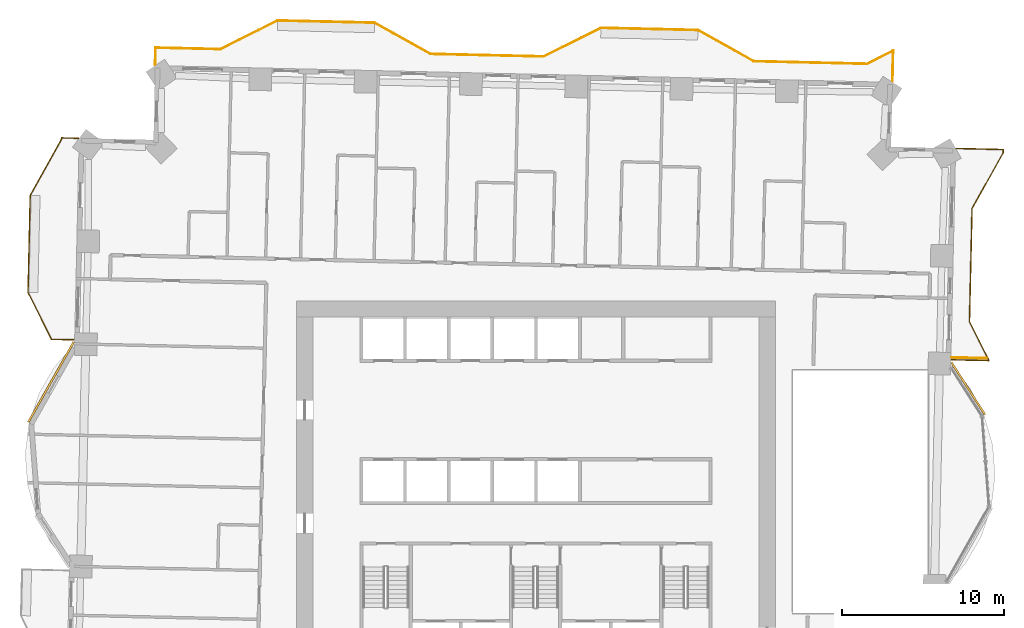
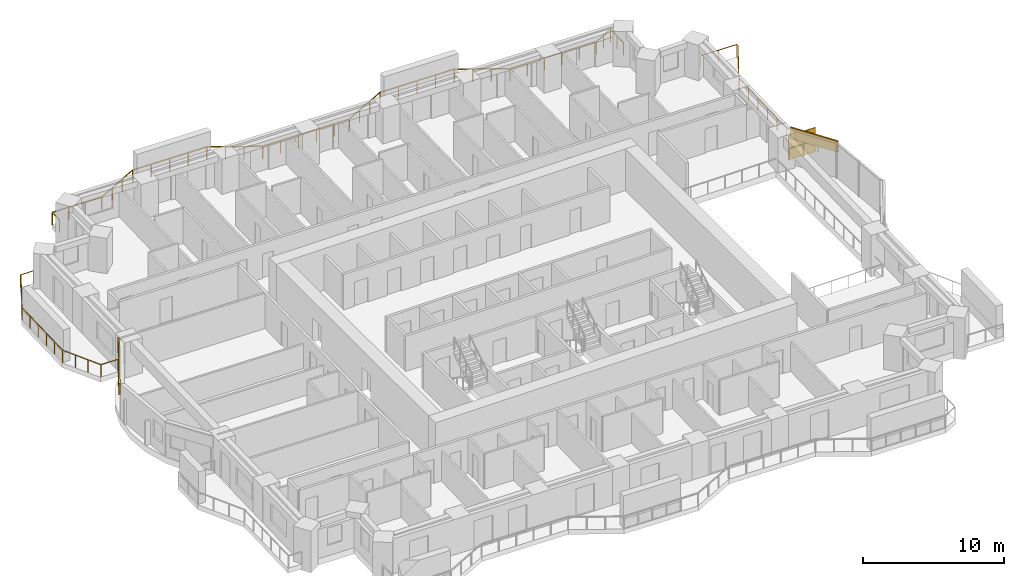
# One storey, part 16 of 16: 3 railings, 2 coverings, 1 shading device.
"""IFC4 building model written with IfcOpenShell, lengths in metres."""

import ifcopenshell
import ifcopenshell.guid

model = None  # the IFC model being written
_history = None  # IfcOwnerHistory: only IFC2X3 demands one
_inside = {}  # id of a spatial element -> (the spatial element, [elements in it])
_under = {}  # id of a project, library or spatial element -> (it, [spatial elements below it])
_declared = {}  # id of a project -> (the project, [libraries it declares])
_typed = {}  # id of a type object -> (the type object, [elements of that type])
_made_of = {}  # id of a material, layer set ... -> (it, [elements and type objects made of it])


def new_model(schema):
    """Start an empty IFC model of exactly this schema.

    Asked for "IFC4X3", IfcOpenShell would pick the latest addendum, in which some entities
    have other attributes; the version numbers below select the first issue.
    IFC2X3 requires an IfcOwnerHistory on every rooted entity: one is made here for all.
    """
    global model, _history
    if schema == "IFC4X3":
        model = ifcopenshell.file(schema_version=(4, 3, 0, 0))
    else:
        model = ifcopenshell.file(schema=schema)
    _inside.clear()
    _under.clear()
    _declared.clear()
    _typed.clear()
    _made_of.clear()
    _history = None
    if model.schema == "IFC2X3":
        org = make("IfcOrganization", Name="unknown")
        user = make(
            "IfcPersonAndOrganization",
            ThePerson=make("IfcPerson", FamilyName="unknown"),
            TheOrganization=org,
        )
        app = make(
            "IfcApplication",
            ApplicationDeveloper=org,
            Version="unknown",
            ApplicationFullName="unknown",
            ApplicationIdentifier="unknown",
        )
        _history = make(
            "IfcOwnerHistory",
            OwningUser=user,
            OwningApplication=app,
            ChangeAction="ADDED",
            CreationDate=0,
        )
    return model


def make(cls, **values):
    """One entity of the class cls with the attributes given. An attribute that is None is left unset."""
    return model.create_entity(
        cls, **{name: value for name, value in values.items() if value is not None}
    )


def rooted(cls, **values):
    """An entity with a GlobalId (a new one), such as an element, a storey or a relation."""
    return make(cls, GlobalId=ifcopenshell.guid.new(), OwnerHistory=_history, **values)


def si_unit(unit_type, name, prefix=None):
    """IfcSIUnit, for example si_unit("LENGTHUNIT", "METRE", prefix="MILLI")."""
    return make("IfcSIUnit", UnitType=unit_type, Prefix=prefix, Name=name)


def assignment(units):
    """IfcUnitAssignment: the units of a project."""
    return None if units is None else make("IfcUnitAssignment", Units=units)


def point(xyz):
    """IfcCartesianPoint."""
    return None if xyz is None else make("IfcCartesianPoint", Coordinates=xyz)


def direction(xyz):
    """IfcDirection."""
    return None if xyz is None else make("IfcDirection", DirectionRatios=xyz)


def frame(location, z_axis=None, x_axis=None):
    """IfcAxis2Placement3D, a coordinate frame: its origin and axes. An axis left out is left unset."""
    return make(
        "IfcAxis2Placement3D",
        Location=point(location),
        Axis=direction(z_axis),
        RefDirection=direction(x_axis),
    )


def frame_2d(location, x_axis=None):
    """IfcAxis2Placement2D, a coordinate frame in the plane: its origin and x axis."""
    return make(
        "IfcAxis2Placement2D", Location=point(location), RefDirection=direction(x_axis)
    )


def origin():
    """The frame at (0, 0, 0) with its axes left unset."""
    return frame((0.0, 0.0, 0.0))


def origin_2d():
    """The frame at (0, 0) in the plane with its x axis left unset."""
    return frame_2d((0.0, 0.0))


def place(relative_to, where):
    """IfcLocalPlacement: puts the frame where relative to a parent placement (None: the world)."""
    return make(
        "IfcLocalPlacement", PlacementRelTo=relative_to, RelativePlacement=where
    )


def context(
    kind, dimensions, precision=None, world=None, true_north=None, identifier=None
):
    """IfcGeometricRepresentationContext, for example the 3D "Model" context."""
    return make(
        "IfcGeometricRepresentationContext",
        ContextIdentifier=identifier,
        ContextType=kind,
        CoordinateSpaceDimension=dimensions,
        Precision=precision,
        WorldCoordinateSystem=world,
        TrueNorth=true_north,
    )


def subcontext(parent, identifier, kind, view, scale=None):
    """IfcGeometricRepresentationSubContext, for example "Body" below "Model"."""
    return make(
        "IfcGeometricRepresentationSubContext",
        ContextIdentifier=identifier,
        ContextType=kind,
        ParentContext=parent,
        TargetScale=scale,
        TargetView=view,
    )


def project(units=None, contexts=None):
    """IfcProject with its units and contexts."""
    return rooted(
        "IfcProject",
        Name="project",
        RepresentationContexts=contexts,
        UnitsInContext=assignment(units),
    )


def spatial(cls, under=None, at=None, **own):
    """A site, building, storey or space (cls), placed at a placement, below another one or the project."""
    s = rooted(cls, ObjectPlacement=at, **own)
    if under is not None:
        _under.setdefault(under.id(), (under, []))[1].append(s)
    return s


def profile(cls, at=None, kind="AREA", **sizes):
    """A parametric profile (cls). Its sizes go by their IFC names, for example OverallWidth=200.0."""
    return make(cls, ProfileType=kind, Position=at, **sizes)


def rectangle(**sizes):
    """IfcRectangleProfileDef."""
    return profile("IfcRectangleProfileDef", **sizes)


def extrude(swept, where, along, depth):
    """IfcExtrudedAreaSolid: the profile swept, set in the frame where, extruded along a direction by depth."""
    return make(
        "IfcExtrudedAreaSolid",
        SweptArea=swept,
        Position=where,
        ExtrudedDirection=direction(along),
        Depth=depth,
    )


def shape(context_of_items, identifier, shape_type, items):
    """IfcShapeRepresentation: the items that make up one representation, for example the "Body"."""
    return make(
        "IfcShapeRepresentation",
        ContextOfItems=context_of_items,
        RepresentationIdentifier=identifier,
        RepresentationType=shape_type,
        Items=items,
    )


def material(Name=None, Category=None):
    """IfcMaterial."""
    return make("IfcMaterial", Name=Name, Category=Category)


def layer(
    of_material, thickness, ventilated=None, Name=None, Category=None, Priority=None
):
    """IfcMaterialLayer: one layer of a wall or slab, of a material (None: an air gap)."""
    return make(
        "IfcMaterialLayer",
        Material=of_material,
        LayerThickness=thickness,
        IsVentilated=ventilated,
        Name=Name,
        Category=Category,
        Priority=Priority,
    )


def layer_set(layers, Name=None):
    """IfcMaterialLayerSet."""
    return make("IfcMaterialLayerSet", MaterialLayers=layers, LayerSetName=Name)


def made_of(thing, what):
    """Note that an element or type object is made of a material, layer set ...; save() writes the relation."""
    if what is not None:
        _made_of.setdefault(what.id(), (what, []))[1].append(thing)
    return thing


def type_object(cls, material=None, **own):
    """A type object (cls), such as IfcWallType, which elements share."""
    return made_of(rooted(cls, **own), material)


def element(
    cls,
    number,
    at=None,
    inside=None,
    cuts=None,
    type_object=None,
    material=None,
    context=None,
    identifier="Body",
    shape_type=None,
    held_by="IfcProductDefinitionShape",
    body=None,
    shapes=None,
    **own,
):
    """One element of the class cls, such as IfcWall. Its Tag is "e" and its number.

    at: its placement. inside: the storey or other place that contains it. cuts: it is an
    opening in that element (IfcRelVoidsElement). A single representation is given by context,
    identifier, shape_type and body (its items); several are given by shapes. held_by: the class
    of the entity that holds the representations. save() writes the other relations.
    """
    e = rooted(cls, Tag="e%d" % number, ObjectPlacement=at, **own)
    if body is not None:
        shapes = [shape(context, identifier, shape_type, body)]
    if shapes is not None:
        e.Representation = make(held_by, Representations=shapes)
    if inside is not None:
        _inside.setdefault(inside.id(), (inside, []))[1].append(e)
    if cuts is not None:
        rooted(
            "IfcRelVoidsElement", RelatingBuildingElement=cuts, RelatedOpeningElement=e
        )
    if type_object is not None:
        _typed.setdefault(type_object.id(), (type_object, []))[1].append(e)
    return made_of(e, material)


def aggregate(whole, parts):
    """IfcRelAggregates: a whole, such as a stair, and the parts it consists of."""
    return rooted("IfcRelAggregates", RelatingObject=whole, RelatedObjects=parts)


def save(model, path):
    """Write the relations noted so far, then the file.

    IfcRelAggregates (storeys below a building ...), IfcRelContainedInSpatialStructure (elements
    in a storey), IfcRelDefinesByType, IfcRelAssociatesMaterial and IfcRelDeclares: one each for
    every whole, place, type object, material and project.
    """
    for whole, parts in _under.values():
        aggregate(whole, parts)
    for where, things in _inside.values():
        rooted(
            "IfcRelContainedInSpatialStructure",
            RelatedElements=things,
            RelatingStructure=where,
        )
    for kind, things in _typed.values():
        rooted("IfcRelDefinesByType", RelatedObjects=things, RelatingType=kind)
    for what, things in _made_of.values():
        rooted("IfcRelAssociatesMaterial", RelatedObjects=things, RelatingMaterial=what)
    for by, libraries in _declared.values():
        rooted("IfcRelDeclares", RelatingContext=by, RelatedDefinitions=libraries)
    model.write(path)


model = new_model("IFC4")

# Units and contexts
model_context = context("Model", 3, precision=1e-05, world=origin(), true_north=direction((0.0, 1.0)))
body_context = subcontext(model_context, "Body", "Model", "MODEL_VIEW")
ifc_project = project(units=[si_unit("LENGTHUNIT", "METRE"), si_unit("AREAUNIT", "SQUARE_METRE"), si_unit("VOLUMEUNIT", "CUBIC_METRE"), si_unit("PLANEANGLEUNIT", "RADIAN"), si_unit("MASSUNIT", "GRAM", prefix="KILO")], contexts=[model_context])

# Site, building, storey
site_placement = place(None, origin())
site = spatial("IfcSite", under=ifc_project, at=site_placement, CompositionType="ELEMENT")
building_placement = place(site_placement, origin())
building = spatial("IfcBuilding", under=site, at=building_placement, Name="Mangrove Gate Tower", CompositionType="ELEMENT")
storey_placement = place(building_placement, frame((0.0, 0.0, 105.5)))
storey = spatial("IfcBuildingStorey", under=building, at=storey_placement, Name="L26", CompositionType="ELEMENT", Elevation=105.5)

# Railings
ifc_material_1 = material(Name="Stainless steel grade 316 with laminated glass infill", Category="steel")
railing_type = type_object("IfcRailingType", Name="Balcony guard 1100", PredefinedType="GUARDRAIL", material=ifc_material_1)
railing_1_placement = place(storey_placement, frame((25.698974609375, 8.157958984375, 0.0)))
element("IfcRailing", 1, at=railing_1_placement, inside=storey, type_object=railing_type, Name="GUARD L26 E2", PredefinedType="GUARDRAIL", context=body_context, shape_type="SweptSolid", body=[
    extrude(rectangle(XDim=0.048095703125, YDim=0.048095703125, at=origin_2d()), frame((0.0, 0.0, 1.076171875), z_axis=(0.999738009607, -0.022889127251, 0.0), x_axis=(0.022889127251, 0.999738009607, 0.0)), (0.0, 0.0, 1.0), 2.314453125),
    extrude(rectangle(XDim=0.048095703125, YDim=0.048095703125, at=origin_2d()), frame((2.31396484375, -0.052978515625, 1.076171875), z_axis=(-0.447031829068, 0.894518051132, 0.0), x_axis=(-0.894518051132, -0.447031829068, 0.0)), (0.0, 0.0, 1.0), 2.6865234375),
    extrude(rectangle(XDim=0.048095703125, YDim=0.048095703125, at=origin_2d()), frame((1.113037109375, 2.35009765625, 1.076171875), z_axis=(0.022705559911, 0.999742195543, 0.0), x_axis=(-0.999742195543, 0.022705559911, 0.0)), (0.0, 0.0, 1.0), 6.999755859375),
    extrude(rectangle(XDim=0.048095703125, YDim=0.048095703125, at=origin_2d()), frame((1.27197265625, 9.34814453125, 1.076171875), z_axis=(0.487286324359, 0.873242256246, 0.0), x_axis=(-0.873242256246, 0.487286324359, 0.0)), (0.0, 0.0, 1.0), 3.95849609375),
    extrude(rectangle(XDim=0.048095703125, YDim=0.048095703125, at=origin_2d()), frame((3.200927734375, 12.804931640625, 1.076171875), z_axis=(0.025601362024, 0.999672231415, 0.0), x_axis=(-0.999672231415, 0.025601362024, 0.0)), (0.0, 0.0, 1.0), 0.2001953125),
    extrude(rectangle(XDim=0.048095703125, YDim=0.048095703125, at=origin_2d()), frame((3.2060546875, 13.005126953125, 1.076171875), z_axis=(-0.999743521605, 0.022647097142, 0.0), x_axis=(-0.022647097142, -0.999743521605, 0.0)), (0.0, 0.0, 1.0), 2.91064453125),
    extrude(rectangle(XDim=0.0419921875, YDim=0.0419921875, at=origin_2d()), origin(), (0.0, 0.0, 1.0), 1.052001953125),
    extrude(rectangle(XDim=0.0419921875, YDim=0.0419921875, at=origin_2d()), frame((1.156982421875, -0.0263671875, 0.0)), (0.0, 0.0, 1.0), 1.052001953125),
    extrude(rectangle(XDim=0.0419921875, YDim=0.0419921875, at=origin_2d()), frame((2.31396484375, -0.052978515625, 0.0)), (0.0, 0.0, 1.0), 1.052001953125),
    extrude(rectangle(XDim=0.0419921875, YDim=0.0419921875, at=origin_2d()), frame((1.71337890625, 1.1484375, 0.0)), (0.0, 0.0, 1.0), 1.052001953125),
    extrude(rectangle(XDim=0.0419921875, YDim=0.0419921875, at=origin_2d()), frame((1.113037109375, 2.35009765625, 0.0)), (0.0, 0.0, 1.0), 1.052001953125),
    extrude(rectangle(XDim=0.0419921875, YDim=0.0419921875, at=origin_2d()), frame((1.144775390625, 3.749755859375, 0.0)), (0.0, 0.0, 1.0), 1.052001953125),
    extrude(rectangle(XDim=0.0419921875, YDim=0.0419921875, at=origin_2d()), frame((1.176513671875, 5.1494140625, 0.0)), (0.0, 0.0, 1.0), 1.052001953125),
    extrude(rectangle(XDim=0.0419921875, YDim=0.0419921875, at=origin_2d()), frame((1.20849609375, 6.548828125, 0.0)), (0.0, 0.0, 1.0), 1.052001953125),
    extrude(rectangle(XDim=0.0419921875, YDim=0.0419921875, at=origin_2d()), frame((1.240234375, 7.948486328125, 0.0)), (0.0, 0.0, 1.0), 1.052001953125),
    extrude(rectangle(XDim=0.0419921875, YDim=0.0419921875, at=origin_2d()), frame((1.27197265625, 9.34814453125, 0.0)), (0.0, 0.0, 1.0), 1.052001953125),
    extrude(rectangle(XDim=0.0419921875, YDim=0.0419921875, at=origin_2d()), frame((1.9150390625, 10.50048828125, 0.0)), (0.0, 0.0, 1.0), 1.052001953125),
    extrude(rectangle(XDim=0.0419921875, YDim=0.0419921875, at=origin_2d()), frame((2.557861328125, 11.652587890625, 0.0)), (0.0, 0.0, 1.0), 1.052001953125),
    extrude(rectangle(XDim=0.0419921875, YDim=0.0419921875, at=origin_2d()), frame((3.200927734375, 12.804931640625, 0.0)), (0.0, 0.0, 1.0), 1.052001953125),
    extrude(rectangle(XDim=0.0419921875, YDim=0.0419921875, at=origin_2d()), frame((3.2060546875, 13.005126953125, 0.0)), (0.0, 0.0, 1.0), 1.052001953125),
    extrude(rectangle(XDim=0.0419921875, YDim=0.0419921875, at=origin_2d()), frame((1.7509765625, 13.0380859375, 0.0)), (0.0, 0.0, 1.0), 1.052001953125),
    extrude(rectangle(XDim=0.0419921875, YDim=0.0419921875, at=origin_2d()), frame((0.296142578125, 13.071044921875, 0.0)), (0.0, 0.0, 1.0), 1.052001953125),
])
railing_2_placement = place(storey_placement, frame((22.048095703125, 25.360107421875, 0.0)))
element("IfcRailing", 2, at=railing_2_placement, inside=storey, type_object=railing_type, Name="GUARD L26 N1", PredefinedType="GUARDRAIL", context=body_context, shape_type="SweptSolid", body=[
    extrude(rectangle(XDim=0.048095703125, YDim=0.048095703125, at=origin_2d()), frame((0.0, 0.0, 1.076171875), z_axis=(0.022526608488, 0.999746243759, 0.0), x_axis=(-0.999746243759, 0.022526608488, 0.0)), (0.0, 0.0, 1.0), 1.907470703125),
    extrude(rectangle(XDim=0.048095703125, YDim=0.048095703125, at=origin_2d()), frame((0.04296875, 1.906982421875, 1.076171875), z_axis=(-0.894534810674, -0.446998291375, 0.0), x_axis=(0.446998291375, -0.894534810674, 0.0)), (0.0, 0.0, 1.0), 1.814453125),
    extrude(rectangle(XDim=0.048095703125, YDim=0.048095703125, at=origin_2d()), frame((-1.580078125, 1.095947265625, 1.076171875), z_axis=(-0.999742195543, 0.022705559911, 0.0), x_axis=(-0.022705559911, -0.999742195543, 0.0)), (0.0, 0.0, 1.0), 6.999755859375),
    extrude(rectangle(XDim=0.048095703125, YDim=0.048095703125, at=origin_2d()), frame((-8.578125, 1.2548828125, 1.076171875), z_axis=(-0.873361856081, 0.487071933437, 0.0), x_axis=(-0.487071933437, -0.873361856081, 0.0)), (0.0, 0.0, 1.0), 3.958251953125),
    extrude(rectangle(XDim=0.048095703125, YDim=0.048095703125, at=origin_2d()), frame((-12.03515625, 3.182861328125, 1.076171875), z_axis=(-0.999739392852, 0.022828630714, 0.0), x_axis=(-0.022828630714, -0.999739392852, 0.0)), (0.0, 0.0, 1.0), 5.99951171875),
    extrude(rectangle(XDim=0.048095703125, YDim=0.048095703125, at=origin_2d()), frame((-18.033203125, 3.31982421875, 1.076171875), z_axis=(-0.894365514875, -0.447336926491, 0.0), x_axis=(0.447336926491, -0.894365514875, 0.0)), (0.0, 0.0, 1.0), 3.958984375),
    extrude(rectangle(XDim=0.048095703125, YDim=0.048095703125, at=origin_2d()), frame((-21.573974609375, 1.548828125, 1.076171875), z_axis=(-0.999726495966, 0.02338660436, 0.0), x_axis=(-0.02338660436, -0.999726495966, 0.0)), (0.0, 0.0, 1.0), 1.200439453125),
    extrude(rectangle(XDim=0.048095703125, YDim=0.048095703125, at=origin_2d()), frame((-22.774169921875, 1.576904296875, 1.076171875), z_axis=(-0.999744523032, 0.022602846449, 0.0), x_axis=(-0.022602846449, -0.999744523032, 0.0)), (0.0, 0.0, 1.0), 5.80029296875),
    extrude(rectangle(XDim=0.048095703125, YDim=0.048095703125, at=origin_2d()), frame((-28.572998046875, 1.7080078125, 1.076171875), z_axis=(-0.87325689943, 0.48726008209, 0.0), x_axis=(-0.48726008209, -0.87325689943, 0.0)), (0.0, 0.0, 1.0), 3.958740234375),
    extrude(rectangle(XDim=0.048095703125, YDim=0.048095703125, at=origin_2d()), frame((-32.030029296875, 3.636962890625, 1.076171875), z_axis=(-0.999743094499, 0.022665943652, 0.0), x_axis=(-0.022665943652, -0.999743094499, 0.0)), (0.0, 0.0, 1.0), 5.99951171875),
    extrude(rectangle(XDim=0.048095703125, YDim=0.048095703125, at=origin_2d()), frame((-38.028076171875, 3.77294921875, 1.076171875), z_axis=(-0.894476522376, -0.447114919141, 0.0), x_axis=(0.447114919141, -0.894476522376, 0.0)), (0.0, 0.0, 1.0), 3.958740234375),
    extrude(rectangle(XDim=0.048095703125, YDim=0.048095703125, at=origin_2d()), frame((-41.569091796875, 2.0029296875, 1.076171875), z_axis=(-0.999741331636, 0.022743566522, 0.0), x_axis=(-0.022743566522, -0.999741331636, 0.0)), (0.0, 0.0, 1.0), 4.00390625),
    extrude(rectangle(XDim=0.048095703125, YDim=0.048095703125, at=origin_2d()), frame((-45.572021484375, 2.093994140625, 1.076171875), z_axis=(-0.022794628443, -0.999740168701, 0.0), x_axis=(0.999740168701, -0.022794628443, 0.0)), (0.0, 0.0, 1.0), 1.060302734375),
    extrude(rectangle(XDim=0.0419921875, YDim=0.0419921875, at=origin_2d()), origin(), (0.0, 0.0, 1.0), 1.052001953125),
    extrude(rectangle(XDim=0.0419921875, YDim=0.0419921875, at=origin_2d()), frame((0.021484375, 0.95361328125, 0.0)), (0.0, 0.0, 1.0), 1.052001953125),
    extrude(rectangle(XDim=0.0419921875, YDim=0.0419921875, at=origin_2d()), frame((0.04296875, 1.906982421875, 0.0)), (0.0, 0.0, 1.0), 1.052001953125),
    extrude(rectangle(XDim=0.0419921875, YDim=0.0419921875, at=origin_2d()), frame((-0.7685546875, 1.50146484375, 0.0)), (0.0, 0.0, 1.0), 1.052001953125),
    extrude(rectangle(XDim=0.0419921875, YDim=0.0419921875, at=origin_2d()), frame((-1.580078125, 1.095947265625, 0.0)), (0.0, 0.0, 1.0), 1.052001953125),
    extrude(rectangle(XDim=0.0419921875, YDim=0.0419921875, at=origin_2d()), frame((-2.979736328125, 1.127685546875, 0.0)), (0.0, 0.0, 1.0), 1.052001953125),
    extrude(rectangle(XDim=0.0419921875, YDim=0.0419921875, at=origin_2d()), frame((-4.37939453125, 1.159423828125, 0.0)), (0.0, 0.0, 1.0), 1.052001953125),
    extrude(rectangle(XDim=0.0419921875, YDim=0.0419921875, at=origin_2d()), frame((-5.77880859375, 1.19140625, 0.0)), (0.0, 0.0, 1.0), 1.052001953125),
    extrude(rectangle(XDim=0.0419921875, YDim=0.0419921875, at=origin_2d()), frame((-7.178466796875, 1.22314453125, 0.0)), (0.0, 0.0, 1.0), 1.052001953125),
    extrude(rectangle(XDim=0.0419921875, YDim=0.0419921875, at=origin_2d()), frame((-8.578125, 1.2548828125, 0.0)), (0.0, 0.0, 1.0), 1.052001953125),
    extrude(rectangle(XDim=0.0419921875, YDim=0.0419921875, at=origin_2d()), frame((-9.73046875, 1.8974609375, 0.0)), (0.0, 0.0, 1.0), 1.052001953125),
    extrude(rectangle(XDim=0.0419921875, YDim=0.0419921875, at=origin_2d()), frame((-10.8828125, 2.540283203125, 0.0)), (0.0, 0.0, 1.0), 1.052001953125),
    extrude(rectangle(XDim=0.0419921875, YDim=0.0419921875, at=origin_2d()), frame((-12.03515625, 3.182861328125, 0.0)), (0.0, 0.0, 1.0), 1.052001953125),
    extrude(rectangle(XDim=0.0419921875, YDim=0.0419921875, at=origin_2d()), frame((-13.53466796875, 3.217041015625, 0.0)), (0.0, 0.0, 1.0), 1.052001953125),
    extrude(rectangle(XDim=0.0419921875, YDim=0.0419921875, at=origin_2d()), frame((-15.0341796875, 3.25146484375, 0.0)), (0.0, 0.0, 1.0), 1.052001953125),
    extrude(rectangle(XDim=0.0419921875, YDim=0.0419921875, at=origin_2d()), frame((-16.53369140625, 3.28564453125, 0.0)), (0.0, 0.0, 1.0), 1.052001953125),
    extrude(rectangle(XDim=0.0419921875, YDim=0.0419921875, at=origin_2d()), frame((-18.033203125, 3.31982421875, 0.0)), (0.0, 0.0, 1.0), 1.052001953125),
    extrude(rectangle(XDim=0.0419921875, YDim=0.0419921875, at=origin_2d()), frame((-19.21337890625, 2.7294921875, 0.0)), (0.0, 0.0, 1.0), 1.052001953125),
    extrude(rectangle(XDim=0.0419921875, YDim=0.0419921875, at=origin_2d()), frame((-20.393798828125, 2.13916015625, 0.0)), (0.0, 0.0, 1.0), 1.052001953125),
    extrude(rectangle(XDim=0.0419921875, YDim=0.0419921875, at=origin_2d()), frame((-21.573974609375, 1.548828125, 0.0)), (0.0, 0.0, 1.0), 1.052001953125),
    extrude(rectangle(XDim=0.0419921875, YDim=0.0419921875, at=origin_2d()), frame((-22.774169921875, 1.576904296875, 0.0)), (0.0, 0.0, 1.0), 1.052001953125),
    extrude(rectangle(XDim=0.0419921875, YDim=0.0419921875, at=origin_2d()), frame((-24.223876953125, 1.609619140625, 0.0)), (0.0, 0.0, 1.0), 1.052001953125),
    extrude(rectangle(XDim=0.0419921875, YDim=0.0419921875, at=origin_2d()), frame((-25.673583984375, 1.642578125, 0.0)), (0.0, 0.0, 1.0), 1.052001953125),
    extrude(rectangle(XDim=0.0419921875, YDim=0.0419921875, at=origin_2d()), frame((-27.123291015625, 1.67529296875, 0.0)), (0.0, 0.0, 1.0), 1.052001953125),
    extrude(rectangle(XDim=0.0419921875, YDim=0.0419921875, at=origin_2d()), frame((-28.572998046875, 1.7080078125, 0.0)), (0.0, 0.0, 1.0), 1.052001953125),
    extrude(rectangle(XDim=0.0419921875, YDim=0.0419921875, at=origin_2d()), frame((-29.725341796875, 2.35107421875, 0.0)), (0.0, 0.0, 1.0), 1.052001953125),
    extrude(rectangle(XDim=0.0419921875, YDim=0.0419921875, at=origin_2d()), frame((-30.877685546875, 2.993896484375, 0.0)), (0.0, 0.0, 1.0), 1.052001953125),
    extrude(rectangle(XDim=0.0419921875, YDim=0.0419921875, at=origin_2d()), frame((-32.030029296875, 3.636962890625, 0.0)), (0.0, 0.0, 1.0), 1.052001953125),
    extrude(rectangle(XDim=0.0419921875, YDim=0.0419921875, at=origin_2d()), frame((-33.529541015625, 3.6708984375, 0.0)), (0.0, 0.0, 1.0), 1.052001953125),
    extrude(rectangle(XDim=0.0419921875, YDim=0.0419921875, at=origin_2d()), frame((-35.029052734375, 3.705078125, 0.0)), (0.0, 0.0, 1.0), 1.052001953125),
    extrude(rectangle(XDim=0.0419921875, YDim=0.0419921875, at=origin_2d()), frame((-36.528564453125, 3.739013671875, 0.0)), (0.0, 0.0, 1.0), 1.052001953125),
    extrude(rectangle(XDim=0.0419921875, YDim=0.0419921875, at=origin_2d()), frame((-38.028076171875, 3.77294921875, 0.0)), (0.0, 0.0, 1.0), 1.052001953125),
    extrude(rectangle(XDim=0.0419921875, YDim=0.0419921875, at=origin_2d()), frame((-39.20849609375, 3.182861328125, 0.0)), (0.0, 0.0, 1.0), 1.052001953125),
    extrude(rectangle(XDim=0.0419921875, YDim=0.0419921875, at=origin_2d()), frame((-40.388671875, 2.593017578125, 0.0)), (0.0, 0.0, 1.0), 1.052001953125),
    extrude(rectangle(XDim=0.0419921875, YDim=0.0419921875, at=origin_2d()), frame((-41.569091796875, 2.0029296875, 0.0)), (0.0, 0.0, 1.0), 1.052001953125),
    extrude(rectangle(XDim=0.0419921875, YDim=0.0419921875, at=origin_2d()), frame((-42.9033203125, 2.033203125, 0.0)), (0.0, 0.0, 1.0), 1.052001953125),
    extrude(rectangle(XDim=0.0419921875, YDim=0.0419921875, at=origin_2d()), frame((-44.23779296875, 2.063720703125, 0.0)), (0.0, 0.0, 1.0), 1.052001953125),
    extrude(rectangle(XDim=0.0419921875, YDim=0.0419921875, at=origin_2d()), frame((-45.572021484375, 2.093994140625, 0.0)), (0.0, 0.0, 1.0), 1.052001953125),
    extrude(rectangle(XDim=0.0419921875, YDim=0.0419921875, at=origin_2d()), frame((-45.59619140625, 1.033935546875, 0.0)), (0.0, 0.0, 1.0), 1.052001953125),
])
railing_3_placement = place(storey_placement, frame((-28.2919921875, 21.861083984375, 0.0)))
element("IfcRailing", 3, at=railing_3_placement, inside=storey, type_object=railing_type, Name="GUARD L26 W1", PredefinedType="GUARDRAIL", context=body_context, shape_type="SweptSolid", body=[
    extrude(rectangle(XDim=0.048095703125, YDim=0.048095703125, at=origin_2d()), frame((0.0, 0.0, 1.076171875), z_axis=(-0.999745389313, 0.022564497502, 0.0), x_axis=(-0.022564497502, -0.999745389313, 0.0)), (0.0, 0.0, 1.0), 1.060302734375),
    extrude(rectangle(XDim=0.048095703125, YDim=0.048095703125, at=origin_2d()), frame((-1.06005859375, 0.02392578125, 1.076171875), z_axis=(-0.019508481785, -0.999809691461, 0.0), x_axis=(0.999809691461, -0.019508481785, 0.0)), (0.0, 0.0, 1.0), 0.10009765625),
    extrude(rectangle(XDim=0.048095703125, YDim=0.048095703125, at=origin_2d()), frame((-1.06201171875, -0.076171875, 1.076171875), z_axis=(-0.48726008209, -0.87325689943, 0.0), x_axis=(0.87325689943, -0.48726008209, 0.0)), (0.0, 0.0, 1.0), 3.958740234375),
    extrude(rectangle(XDim=0.048095703125, YDim=0.048095703125, at=origin_2d()), frame((-2.990966796875, -3.533203125, 1.076171875), z_axis=(-0.022663177671, -0.999743157205, 0.0), x_axis=(0.999743157205, -0.022663177671, 0.0)), (0.0, 0.0, 1.0), 6.000244140625),
    extrude(rectangle(XDim=0.048095703125, YDim=0.048095703125, at=origin_2d()), frame((-3.126953125, -9.531982421875, 1.076171875), z_axis=(0.446913174933, -0.894577338228, 0.0), x_axis=(0.894577338228, 0.446913174933, 0.0)), (0.0, 0.0, 1.0), 3.2509765625),
    extrude(rectangle(XDim=0.048095703125, YDim=0.048095703125, at=origin_2d()), frame((-1.674072265625, -12.440185546875, 1.076171875), z_axis=(0.999735822648, -0.022984449415, 0.0), x_axis=(0.022984449415, 0.999735822648, 0.0)), (0.0, 0.0, 1.0), 1.3916015625),
    extrude(rectangle(XDim=0.0419921875, YDim=0.0419921875, at=origin_2d()), origin(), (0.0, 0.0, 1.0), 1.052001953125),
    extrude(rectangle(XDim=0.0419921875, YDim=0.0419921875, at=origin_2d()), frame((-1.06005859375, 0.02392578125, 0.0)), (0.0, 0.0, 1.0), 1.052001953125),
    extrude(rectangle(XDim=0.0419921875, YDim=0.0419921875, at=origin_2d()), frame((-1.06201171875, -0.076171875, 0.0)), (0.0, 0.0, 1.0), 1.052001953125),
    extrude(rectangle(XDim=0.0419921875, YDim=0.0419921875, at=origin_2d()), frame((-1.705078125, -1.228515625, 0.0)), (0.0, 0.0, 1.0), 1.052001953125),
    extrude(rectangle(XDim=0.0419921875, YDim=0.0419921875, at=origin_2d()), frame((-2.347900390625, -2.380859375, 0.0)), (0.0, 0.0, 1.0), 1.052001953125),
    extrude(rectangle(XDim=0.0419921875, YDim=0.0419921875, at=origin_2d()), frame((-2.990966796875, -3.533203125, 0.0)), (0.0, 0.0, 1.0), 1.052001953125),
    extrude(rectangle(XDim=0.0419921875, YDim=0.0419921875, at=origin_2d()), frame((-3.01806640625, -4.73291015625, 0.0)), (0.0, 0.0, 1.0), 1.052001953125),
    extrude(rectangle(XDim=0.0419921875, YDim=0.0419921875, at=origin_2d()), frame((-3.04541015625, -5.9326171875, 0.0)), (0.0, 0.0, 1.0), 1.052001953125),
    extrude(rectangle(XDim=0.0419921875, YDim=0.0419921875, at=origin_2d()), frame((-3.072509765625, -7.132568359375, 0.0)), (0.0, 0.0, 1.0), 1.052001953125),
    extrude(rectangle(XDim=0.0419921875, YDim=0.0419921875, at=origin_2d()), frame((-3.099853515625, -8.332275390625, 0.0)), (0.0, 0.0, 1.0), 1.052001953125),
    extrude(rectangle(XDim=0.0419921875, YDim=0.0419921875, at=origin_2d()), frame((-3.126953125, -9.531982421875, 0.0)), (0.0, 0.0, 1.0), 1.052001953125),
    extrude(rectangle(XDim=0.0419921875, YDim=0.0419921875, at=origin_2d()), frame((-2.642578125, -10.50146484375, 0.0)), (0.0, 0.0, 1.0), 1.052001953125),
    extrude(rectangle(XDim=0.0419921875, YDim=0.0419921875, at=origin_2d()), frame((-2.158447265625, -11.470703125, 0.0)), (0.0, 0.0, 1.0), 1.052001953125),
    extrude(rectangle(XDim=0.0419921875, YDim=0.0419921875, at=origin_2d()), frame((-1.674072265625, -12.440185546875, 0.0)), (0.0, 0.0, 1.0), 1.052001953125),
    extrude(rectangle(XDim=0.0419921875, YDim=0.0419921875, at=origin_2d()), frame((-0.282958984375, -12.47216796875, 0.0)), (0.0, 0.0, 1.0), 1.052001953125),
])

# Shading device
ifc_material_2 = material(Name="Timber slat screen in teak", Category="wood")
shading_device_type = type_object("IfcShadingDeviceType", Name="Balcony screen 2100", PredefinedType="USERDEFINED", material=ifc_material_2)
shading_device_placement = place(storey_placement, frame((26.779052734375, 8.27294921875, 0.0), z_axis=(0.0, 0.0, 1.0), x_axis=(0.999736234843, -0.022966513488, 0.0)))
element("IfcShadingDevice", 4, at=shading_device_placement, inside=storey, type_object=shading_device_type, Name="SCREEN L26 E1", ObjectType="SCREEN", PredefinedType="USERDEFINED", context=body_context, shape_type="SweptSolid", body=[
    extrude(rectangle(XDim=2.195068359375, YDim=0.050048828125, at=origin_2d()), origin(), (0.0, 0.0, 1.0), 2.10009765625),
])

# Coverings
ifc_material_3 = material(Name="Limestone", Category="masonry")
ifc_layer_1 = layer(ifc_material_3, 0.0400390625, Name="Limestone cladding")
ifc_material_4 = material(Name="Stainless steel anchors and cavity", Category="steel")
ifc_layer_2 = layer(ifc_material_4, 0.080078125, Name="Fixing cavity")
ifc_layer_set = layer_set([ifc_layer_1, ifc_layer_2], Name="Joint fascia cladding 120")
covering_type = type_object("IfcCoveringType", Name="Joint fascia cladding 120", PredefinedType="CLADDING", material=ifc_layer_set)
covering_1_placement = place(storey_placement, frame((27.762939453125, 4.77392578125, 2.10009765625), z_axis=(0.0, 0.0, 1.0), x_axis=(-0.540457066708, 0.841371593914, 0.0)))
element("IfcCovering", 5, at=covering_1_placement, inside=storey, type_object=covering_type, Name="STONE FASCIA L26 E1.L2", PredefinedType="CLADDING", context=body_context, shape_type="SweptSolid", body=[
    extrude(rectangle(XDim=3.81884765625, YDim=0.1201171875, at=frame_2d((1.909423828125, 0.0))), origin(), (0.0, 0.0, 1.0), 0.949951171875),
])
covering_2_placement = place(storey_placement, frame((-28.588134765625, 9.264892578125, 2.10009765625), z_axis=(0.0, 0.0, 1.0), x_axis=(-0.492461862622, -0.870334024305, 0.0)))
element("IfcCovering", 6, at=covering_2_placement, inside=storey, type_object=covering_type, Name="STONE FASCIA L26 W9.L1", PredefinedType="CLADDING", context=body_context, shape_type="SweptSolid", body=[
    extrude(rectangle(XDim=5.70556640625, YDim=0.1201171875, at=frame_2d((2.852783203125, 0.0))), origin(), (0.0, 0.0, 1.0), 0.949951171875),
])

save(model, "model.ifc")
